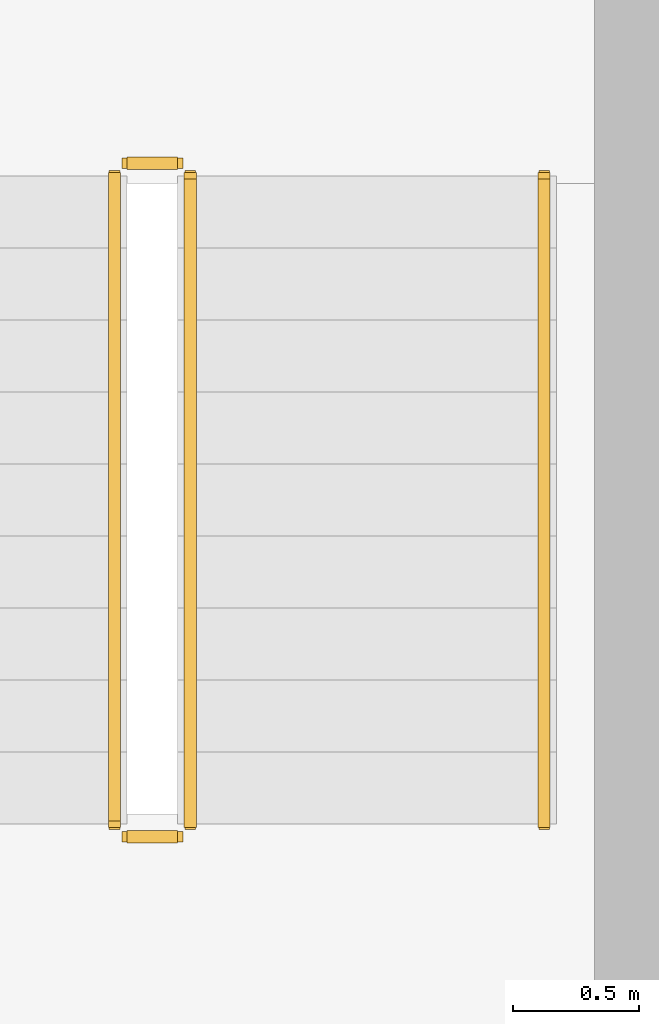
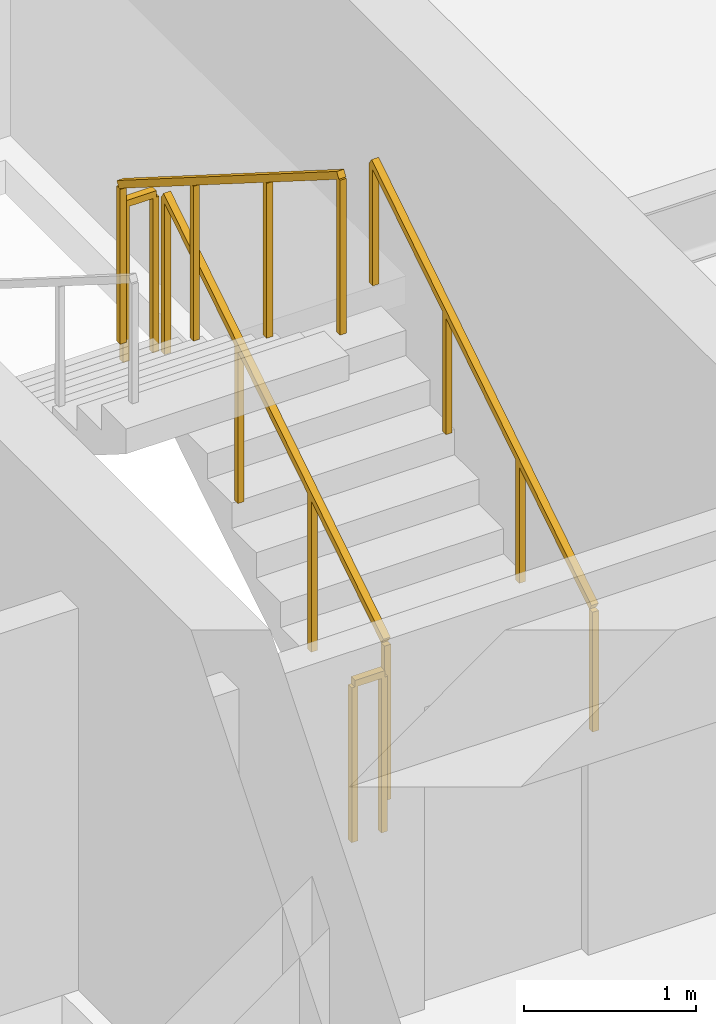
# One storey, part 23 of 23: 5 railings.
"""IFC4 building model written with IfcOpenShell, lengths in metres."""

from ifc_helpers import new_model, si_unit, direction, frame, origin, origin_2d, place, context, subcontext, project, spatial, rectangle, extrude, material, type_object, element, save


model = new_model("IFC4")

# Units and contexts
model_context = context("Model", 3, precision=1e-05, world=origin(), true_north=direction((0.0, 1.0)))
body_context = subcontext(model_context, "Body", "Model", "MODEL_VIEW")
ifc_project = project(units=[si_unit("LENGTHUNIT", "METRE"), si_unit("AREAUNIT", "SQUARE_METRE"), si_unit("VOLUMEUNIT", "CUBIC_METRE"), si_unit("PLANEANGLEUNIT", "RADIAN"), si_unit("MASSUNIT", "GRAM", prefix="KILO")], contexts=[model_context])

# Site, building, storey
site_placement = place(None, origin())
site = spatial("IfcSite", under=ifc_project, at=site_placement, CompositionType="ELEMENT")
building_placement = place(site_placement, origin())
building = spatial("IfcBuilding", under=site, at=building_placement, Name="Sarneth Arch Tower", CompositionType="ELEMENT")
storey_placement = place(building_placement, frame((0.0, 0.0, 235.199951171875)))
storey = spatial("IfcBuildingStorey", under=building, at=storey_placement, Name="L60", CompositionType="ELEMENT", Elevation=235.199951171875)

# Railings
ifc_material_1 = material(Name="Brushed Stainless Steel 304 tubular handrail", Category="steel")
railing_type_1 = type_object("IfcRailingType", Name="RAIL-HANDRAIL-900", PredefinedType="HANDRAIL", material=ifc_material_1)
railing_1_placement = place(storey_placement, frame((58.60009765625, 41.449951171875, 0.179931640625)))
element("IfcRailing", 1, at=railing_1_placement, inside=storey, type_object=railing_type_1, Name="L60 ST-2 stair handrail 1", PredefinedType="HANDRAIL", context=body_context, shape_type="SweptSolid", body=[
    extrude(rectangle(XDim=0.048095703125, YDim=0.048095703125, at=origin_2d()), frame((0.0, 0.0, 0.8759765625), z_axis=(0.0, 0.845465955043, 0.534029323973), x_axis=(-1.0, 0.0, 0.0)), (0.0, 0.0, 1.0), 3.03369140625),
    extrude(rectangle(XDim=0.0419921875, YDim=0.0419921875, at=origin_2d()), origin(), (0.0, 0.0, 1.0), 0.851806640625),
    extrude(rectangle(XDim=0.0419921875, YDim=0.0419921875, at=origin_2d()), frame((0.0, 0.85498046875, 0.5400390625)), (0.0, 0.0, 1.0), 0.851806640625),
    extrude(rectangle(XDim=0.0419921875, YDim=0.0419921875, at=origin_2d()), frame((0.0, 1.7099609375, 1.080078125)), (0.0, 0.0, 1.0), 0.851806640625),
    extrude(rectangle(XDim=0.0419921875, YDim=0.0419921875, at=origin_2d()), frame((0.0, 2.56494140625, 1.6201171875)), (0.0, 0.0, 1.0), 0.851806640625),
])
ifc_material_2 = material(Name="Painted Steel S275 stair well guard", Category="steel")
railing_type_2 = type_object("IfcRailingType", Name="RAIL-STAIR-GUARD", PredefinedType="GUARDRAIL", material=ifc_material_2)
railing_2_placement = place(storey_placement, frame((57.199951171875, 41.449951171875, 0.179931640625)))
element("IfcRailing", 2, at=railing_2_placement, inside=storey, type_object=railing_type_2, Name="L60 ST-2 stair guard 1", PredefinedType="GUARDRAIL", context=body_context, shape_type="SweptSolid", body=[
    extrude(rectangle(XDim=0.048095703125, YDim=0.048095703125, at=origin_2d()), frame((0.0, 0.0, 1.1259765625), z_axis=(0.0, 0.845465955043, 0.534029323973), x_axis=(-1.0, 0.0, 0.0)), (0.0, 0.0, 1.0), 3.03369140625),
    extrude(rectangle(XDim=0.0419921875, YDim=0.0419921875, at=origin_2d()), origin(), (0.0, 0.0, 1.0), 1.101806640625),
    extrude(rectangle(XDim=0.0419921875, YDim=0.0419921875, at=origin_2d()), frame((0.0, 0.85498046875, 0.5400390625)), (0.0, 0.0, 1.0), 1.101806640625),
    extrude(rectangle(XDim=0.0419921875, YDim=0.0419921875, at=origin_2d()), frame((0.0, 1.7099609375, 1.080078125)), (0.0, 0.0, 1.0), 1.101806640625),
    extrude(rectangle(XDim=0.0419921875, YDim=0.0419921875, at=origin_2d()), frame((0.0, 2.56494140625, 1.6201171875)), (0.0, 0.0, 1.0), 1.101806640625),
])
railing_3_placement = place(storey_placement, frame((57.14990234375, 44.06494140625, 1.800048828125)))
element("IfcRailing", 3, at=railing_3_placement, inside=storey, type_object=railing_type_2, Name="L60 ST-2 stair guard 2", PredefinedType="GUARDRAIL", context=body_context, shape_type="SweptSolid", body=[
    extrude(rectangle(XDim=0.048095703125, YDim=0.048095703125, at=origin_2d()), frame((0.0, 0.0, 1.1259765625), z_axis=(-1.0, 0.0, 0.0), x_axis=(0.0, -1.0, 0.0)), (0.0, 0.0, 1.0), 0.199951171875),
    extrude(rectangle(XDim=0.0419921875, YDim=0.0419921875, at=origin_2d()), origin(), (0.0, 0.0, 1.0), 1.101806640625),
    extrude(rectangle(XDim=0.0419921875, YDim=0.0419921875, at=origin_2d()), frame((-0.199951171875, 0.0, 0.0)), (0.0, 0.0, 1.0), 1.101806640625),
])
railing_4_placement = place(storey_placement, frame((56.89990234375, 44.014892578125, 1.97998046875)))
element("IfcRailing", 4, at=railing_4_placement, inside=storey, type_object=railing_type_2, Name="L60 ST-2 stair guard 3", PredefinedType="GUARDRAIL", context=body_context, shape_type="SweptSolid", body=[
    extrude(rectangle(XDim=0.048095703125, YDim=0.048095703125, at=origin_2d()), frame((0.0, 0.0, 1.1259765625), z_axis=(0.0, -0.845465955043, 0.534029323973), x_axis=(1.0, 0.0, 0.0)), (0.0, 0.0, 1.0), 3.03369140625),
    extrude(rectangle(XDim=0.0419921875, YDim=0.0419921875, at=origin_2d()), origin(), (0.0, 0.0, 1.0), 1.101806640625),
    extrude(rectangle(XDim=0.0419921875, YDim=0.0419921875, at=origin_2d()), frame((0.0, -0.85498046875, 0.5400390625)), (0.0, 0.0, 1.0), 1.101806640625),
    extrude(rectangle(XDim=0.0419921875, YDim=0.0419921875, at=origin_2d()), frame((0.0, -1.7099609375, 1.080078125)), (0.0, 0.0, 1.0), 1.101806640625),
    extrude(rectangle(XDim=0.0419921875, YDim=0.0419921875, at=origin_2d()), frame((0.0, -2.56494140625, 1.6201171875)), (0.0, 0.0, 1.0), 1.101806640625),
])
railing_5_placement = place(storey_placement, frame((57.14990234375, 41.39990234375, 0.0)))
element("IfcRailing", 5, at=railing_5_placement, inside=storey, type_object=railing_type_2, Name="L60 ST-2 stair guard 4", PredefinedType="GUARDRAIL", context=body_context, shape_type="SweptSolid", body=[
    extrude(rectangle(XDim=0.048095703125, YDim=0.048095703125, at=origin_2d()), frame((0.0, 0.0, 1.1259765625), z_axis=(-1.0, 0.0, 0.0), x_axis=(0.0, -1.0, 0.0)), (0.0, 0.0, 1.0), 0.199951171875),
    extrude(rectangle(XDim=0.0419921875, YDim=0.0419921875, at=origin_2d()), origin(), (0.0, 0.0, 1.0), 1.101806640625),
    extrude(rectangle(XDim=0.0419921875, YDim=0.0419921875, at=origin_2d()), frame((-0.199951171875, 0.0, 0.0)), (0.0, 0.0, 1.0), 1.101806640625),
])

save(model, "model.ifc")
